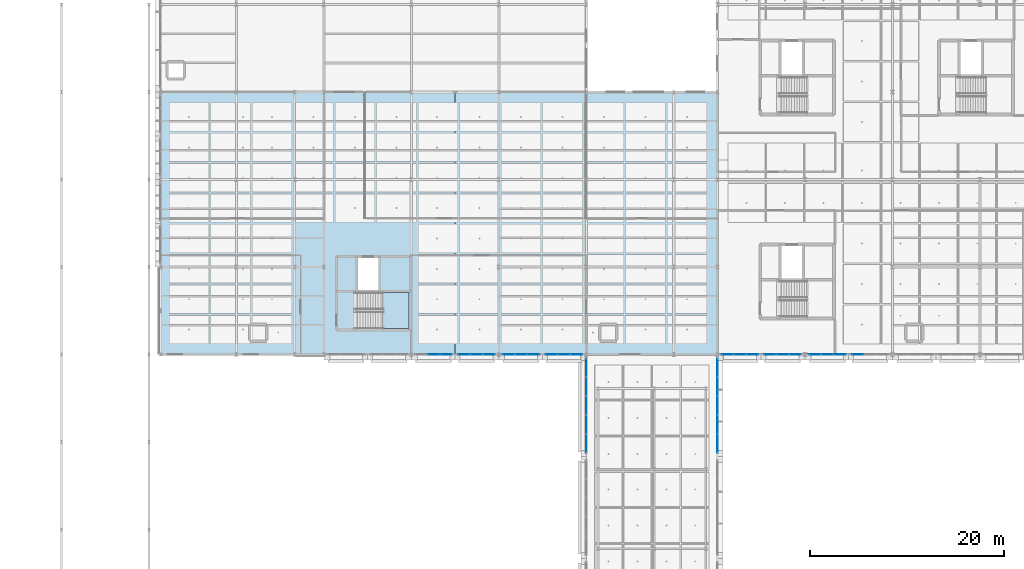
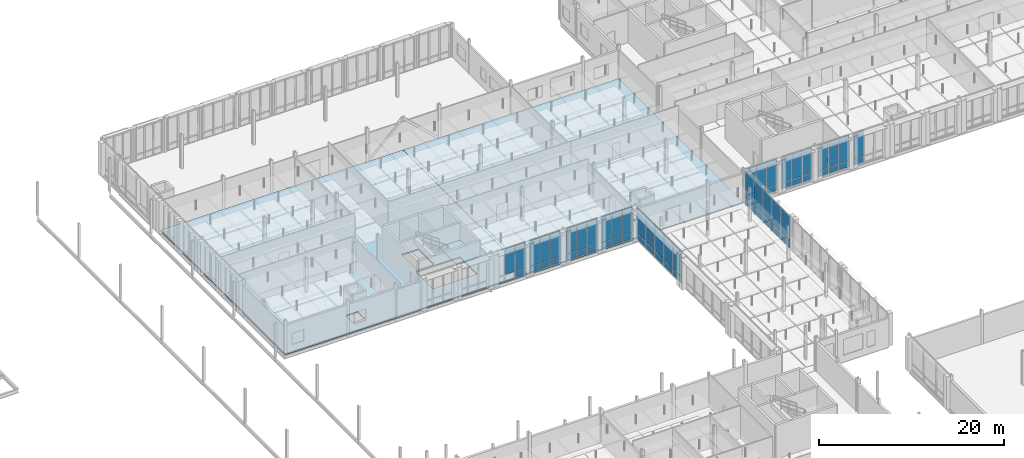
# One storey, part 57 of 130: 61 plates, 3 slabs, 11 elements without a shape of their own.
"""IFC4 building model written with IfcOpenShell, lengths in metres."""

from ifc_helpers import new_model, si_unit, direction, frame, origin, origin_2d, place, context, subcontext, project, spatial, polyline, rectangle, outline, extrude, material, layer, layer_set, type_object, element, aggregate, save


model = new_model("IFC4")

# Units and contexts
model_context = context("Model", 3, precision=1e-05, world=origin(), true_north=direction((0.0, 1.0)))
body_context = subcontext(model_context, "Body", "Model", "MODEL_VIEW")
ifc_project = project(units=[si_unit("LENGTHUNIT", "METRE"), si_unit("AREAUNIT", "SQUARE_METRE"), si_unit("VOLUMEUNIT", "CUBIC_METRE"), si_unit("PLANEANGLEUNIT", "RADIAN"), si_unit("MASSUNIT", "GRAM", prefix="KILO"), si_unit("THERMODYNAMICTEMPERATUREUNIT", "KELVIN"), si_unit("POWERUNIT", "WATT")], contexts=[model_context])

# Site, building, storey
site_placement = place(None, origin())
site = spatial("IfcSite", under=ifc_project, at=site_placement, CompositionType="ELEMENT")
building_placement = place(site_placement, origin())
building = spatial("IfcBuilding", under=site, at=building_placement, Name="Tallowbark Science Centre", CompositionType="ELEMENT")
storey_placement = place(building_placement, frame((0.0, 0.0, 5.39990234375)))
storey = spatial("IfcBuildingStorey", under=building, at=storey_placement, Name="L01", CompositionType="ELEMENT", Elevation=5.39990234375)

# Curtain wall, plates
ifc_material_1 = material(Name="Unitised Thermally Broken Aluminium and Low-E Double Glazing", Category="aluminium")
curtain_wall_type = type_object("IfcCurtainWallType", Name="CW-SYS-FACADE", PredefinedType="NOTDEFINED", material=ifc_material_1)
curtain_wall_1_placement = place(storey_placement, origin())
curtain_wall_1 = element("IfcCurtainWall", 1, at=curtain_wall_1_placement, inside=storey, type_object=curtain_wall_type, Name="Unitised Curtain Wall LNK-W-2 CW-L01-014", PredefinedType="NOTDEFINED")
ifc_material_2 = material(Name="Double Glazed Argon Low-E Vision Glass", Category="glass")
ifc_layer_1 = layer(ifc_material_2, 0.028076171875)
ifc_layer_set_1 = layer_set([ifc_layer_1], Name="Double Glazed Argon Low-E Vision Glass")
plate_type_1 = type_object("IfcPlateType", Name="CWP-GLZ-28", PredefinedType="CURTAIN_PANEL", material=ifc_layer_set_1)
plate_1_placement = place(storey_placement, frame((99.0, 70.65380859375, 0.05517578125), z_axis=(0.0, 0.0, 1.0), x_axis=(0.0, -1.0, 0.0)))
plate_1 = element("IfcPlate", 2, at=plate_1_placement, type_object=plate_type_1, Name="CW-01 panel 1.1", PredefinedType="CURTAIN_PANEL", context=body_context, shape_type="SweptSolid", body=[
    extrude(rectangle(XDim=1.862548828125, YDim=0.028076171875, at=origin_2d()), origin(), (0.0, 0.0, 1.0), 0.767578125),
])
plate_2_placement = place(storey_placement, frame((99.0, 70.65380859375, 0.87744140625), z_axis=(0.0, 0.0, 1.0), x_axis=(0.0, -1.0, 0.0)))
plate_2 = element("IfcPlate", 3, at=plate_2_placement, type_object=plate_type_1, Name="CW-01 panel 1.2", PredefinedType="CURTAIN_PANEL", context=body_context, shape_type="SweptSolid", body=[
    extrude(rectangle(XDim=1.862548828125, YDim=0.028076171875, at=origin_2d()), origin(), (0.0, 0.0, 1.0), 3.387451171875),
])
plate_3_placement = place(storey_placement, frame((99.0, 68.7099609375, 0.05517578125), z_axis=(0.0, 0.0, 1.0), x_axis=(0.0, -1.0, 0.0)))
plate_3 = element("IfcPlate", 4, at=plate_3_placement, type_object=plate_type_1, Name="CW-01 panel 2.1", PredefinedType="CURTAIN_PANEL", context=body_context, shape_type="SweptSolid", body=[
    extrude(rectangle(XDim=1.89501953125, YDim=0.028076171875, at=origin_2d()), origin(), (0.0, 0.0, 1.0), 0.767578125),
])
plate_4_placement = place(storey_placement, frame((99.0, 68.7099609375, 0.87744140625), z_axis=(0.0, 0.0, 1.0), x_axis=(0.0, -1.0, 0.0)))
plate_4 = element("IfcPlate", 5, at=plate_4_placement, type_object=plate_type_1, Name="CW-01 panel 2.2", PredefinedType="CURTAIN_PANEL", context=body_context, shape_type="SweptSolid", body=[
    extrude(rectangle(XDim=1.89501953125, YDim=0.028076171875, at=origin_2d()), origin(), (0.0, 0.0, 1.0), 3.387451171875),
])
plate_5_placement = place(storey_placement, frame((99.0, 66.75, 0.05517578125), z_axis=(0.0, 0.0, 1.0), x_axis=(0.0, -1.0, 0.0)))
plate_5 = element("IfcPlate", 6, at=plate_5_placement, type_object=plate_type_1, Name="CW-01 panel 3.1", PredefinedType="CURTAIN_PANEL", context=body_context, shape_type="SweptSolid", body=[
    extrude(rectangle(XDim=1.89501953125, YDim=0.028076171875, at=origin_2d()), origin(), (0.0, 0.0, 1.0), 0.767578125),
])
plate_6_placement = place(storey_placement, frame((99.0, 66.75, 0.87744140625), z_axis=(0.0, 0.0, 1.0), x_axis=(0.0, -1.0, 0.0)))
plate_6 = element("IfcPlate", 7, at=plate_6_placement, type_object=plate_type_1, Name="CW-01 panel 3.2", PredefinedType="CURTAIN_PANEL", context=body_context, shape_type="SweptSolid", body=[
    extrude(rectangle(XDim=1.89501953125, YDim=0.028076171875, at=origin_2d()), origin(), (0.0, 0.0, 1.0), 3.387451171875),
])
plate_7_placement = place(storey_placement, frame((99.0, 64.7900390625, 0.05517578125), z_axis=(0.0, 0.0, 1.0), x_axis=(0.0, -1.0, 0.0)))
plate_7 = element("IfcPlate", 8, at=plate_7_placement, type_object=plate_type_1, Name="CW-01 panel 4.1", PredefinedType="CURTAIN_PANEL", context=body_context, shape_type="SweptSolid", body=[
    extrude(rectangle(XDim=1.89501953125, YDim=0.028076171875, at=origin_2d()), origin(), (0.0, 0.0, 1.0), 0.767578125),
])
plate_8_placement = place(storey_placement, frame((99.0, 64.7900390625, 0.87744140625), z_axis=(0.0, 0.0, 1.0), x_axis=(0.0, -1.0, 0.0)))
plate_8 = element("IfcPlate", 9, at=plate_8_placement, type_object=plate_type_1, Name="CW-01 panel 4.2", PredefinedType="CURTAIN_PANEL", context=body_context, shape_type="SweptSolid", body=[
    extrude(rectangle(XDim=1.89501953125, YDim=0.028076171875, at=origin_2d()), origin(), (0.0, 0.0, 1.0), 3.387451171875),
])
plate_9_placement = place(storey_placement, frame((99.0, 62.84619140625, 0.05517578125), z_axis=(0.0, 0.0, 1.0), x_axis=(0.0, -1.0, 0.0)))
plate_9 = element("IfcPlate", 10, at=plate_9_placement, type_object=plate_type_1, Name="CW-01 panel 5.1", PredefinedType="CURTAIN_PANEL", context=body_context, shape_type="SweptSolid", body=[
    extrude(rectangle(XDim=1.862548828125, YDim=0.028076171875, at=origin_2d()), origin(), (0.0, 0.0, 1.0), 0.767578125),
])
plate_10_placement = place(storey_placement, frame((99.0, 62.84619140625, 0.87744140625), z_axis=(0.0, 0.0, 1.0), x_axis=(0.0, -1.0, 0.0)))
plate_10 = element("IfcPlate", 11, at=plate_10_placement, type_object=plate_type_1, Name="CW-01 panel 5.2", PredefinedType="CURTAIN_PANEL", context=body_context, shape_type="SweptSolid", body=[
    extrude(rectangle(XDim=1.862548828125, YDim=0.028076171875, at=origin_2d()), origin(), (0.0, 0.0, 1.0), 3.387451171875),
])
aggregate(curtain_wall_1, [plate_1, plate_2, plate_3, plate_4, plate_5, plate_6, plate_7, plate_8, plate_9, plate_10])

curtain_wall_2_placement = place(storey_placement, origin())
curtain_wall_2 = element("IfcCurtainWall", 12, at=curtain_wall_2_placement, inside=storey, type_object=curtain_wall_type, Name="Unitised Curtain Wall LAB-S-81A CW-L01-041", PredefinedType="NOTDEFINED")
plate_11_placement = place(storey_placement, frame((83.300048828125, 72.0, 0.87744140625), z_axis=(0.0, 0.0, 1.0), x_axis=(1.0, 0.0, 0.0)))
plate_11 = element("IfcPlate", 13, at=plate_11_placement, type_object=plate_type_1, Name="CW-01 panel 2.2", PredefinedType="CURTAIN_PANEL", context=body_context, shape_type="SweptSolid", body=[
    extrude(rectangle(XDim=1.235107421875, YDim=0.028076171875, at=origin_2d()), origin(), (0.0, 0.0, 1.0), 3.387451171875),
])
plate_12_placement = place(storey_placement, frame((84.583740234375, 72.0, 0.05517578125), z_axis=(0.0, 0.0, 1.0), x_axis=(1.0, 0.0, 0.0)))
plate_12 = element("IfcPlate", 14, at=plate_12_placement, type_object=plate_type_1, Name="CW-01 panel 3.1", PredefinedType="CURTAIN_PANEL", context=body_context, shape_type="SweptSolid", body=[
    extrude(rectangle(XDim=1.202392578125, YDim=0.028076171875, at=origin_2d()), origin(), (0.0, 0.0, 1.0), 0.767578125),
])
plate_13_placement = place(storey_placement, frame((84.583740234375, 72.0, 0.87744140625), z_axis=(0.0, 0.0, 1.0), x_axis=(1.0, 0.0, 0.0)))
plate_13 = element("IfcPlate", 15, at=plate_13_placement, type_object=plate_type_1, Name="CW-01 panel 3.2", PredefinedType="CURTAIN_PANEL", context=body_context, shape_type="SweptSolid", body=[
    extrude(rectangle(XDim=1.202392578125, YDim=0.028076171875, at=origin_2d()), origin(), (0.0, 0.0, 1.0), 3.387451171875),
])
aggregate(curtain_wall_2, [plate_11, plate_12, plate_13])

curtain_wall_3_placement = place(storey_placement, origin())
curtain_wall_3 = element("IfcCurtainWall", 16, at=curtain_wall_3_placement, inside=storey, type_object=curtain_wall_type, Name="Unitised Curtain Wall LAB-S-90A CW-L01-043", PredefinedType="NOTDEFINED")
plate_14_placement = place(storey_placement, frame((91.016357421875, 72.0, 0.05517578125), z_axis=(0.0, 0.0, 1.0), x_axis=(1.0, 0.0, 0.0)))
plate_14 = element("IfcPlate", 17, at=plate_14_placement, type_object=plate_type_1, Name="CW-01 panel 1.1", PredefinedType="CURTAIN_PANEL", context=body_context, shape_type="SweptSolid", body=[
    extrude(rectangle(XDim=1.202392578125, YDim=0.028076171875, at=origin_2d()), origin(), (0.0, 0.0, 1.0), 0.767578125),
])
plate_15_placement = place(storey_placement, frame((91.016357421875, 72.0, 0.87744140625), z_axis=(0.0, 0.0, 1.0), x_axis=(1.0, 0.0, 0.0)))
plate_15 = element("IfcPlate", 18, at=plate_15_placement, type_object=plate_type_1, Name="CW-01 panel 1.2", PredefinedType="CURTAIN_PANEL", context=body_context, shape_type="SweptSolid", body=[
    extrude(rectangle(XDim=1.202392578125, YDim=0.028076171875, at=origin_2d()), origin(), (0.0, 0.0, 1.0), 3.387451171875),
])
plate_16_placement = place(storey_placement, frame((92.300048828125, 72.0, 0.05517578125), z_axis=(0.0, 0.0, 1.0), x_axis=(1.0, 0.0, 0.0)))
plate_16 = element("IfcPlate", 19, at=plate_16_placement, type_object=plate_type_1, Name="CW-01 panel 2.1", PredefinedType="CURTAIN_PANEL", context=body_context, shape_type="SweptSolid", body=[
    extrude(rectangle(XDim=1.235107421875, YDim=0.028076171875, at=origin_2d()), origin(), (0.0, 0.0, 1.0), 0.767578125),
])
plate_17_placement = place(storey_placement, frame((92.300048828125, 72.0, 0.87744140625), z_axis=(0.0, 0.0, 1.0), x_axis=(1.0, 0.0, 0.0)))
plate_17 = element("IfcPlate", 20, at=plate_17_placement, type_object=plate_type_1, Name="CW-01 panel 2.2", PredefinedType="CURTAIN_PANEL", context=body_context, shape_type="SweptSolid", body=[
    extrude(rectangle(XDim=1.235107421875, YDim=0.028076171875, at=origin_2d()), origin(), (0.0, 0.0, 1.0), 3.387451171875),
])
plate_18_placement = place(storey_placement, frame((93.583740234375, 72.0, 0.05517578125), z_axis=(0.0, 0.0, 1.0), x_axis=(1.0, 0.0, 0.0)))
plate_18 = element("IfcPlate", 21, at=plate_18_placement, type_object=plate_type_1, Name="CW-01 panel 3.1", PredefinedType="CURTAIN_PANEL", context=body_context, shape_type="SweptSolid", body=[
    extrude(rectangle(XDim=1.202392578125, YDim=0.028076171875, at=origin_2d()), origin(), (0.0, 0.0, 1.0), 0.767578125),
])
plate_19_placement = place(storey_placement, frame((93.583740234375, 72.0, 0.87744140625), z_axis=(0.0, 0.0, 1.0), x_axis=(1.0, 0.0, 0.0)))
plate_19 = element("IfcPlate", 22, at=plate_19_placement, type_object=plate_type_1, Name="CW-01 panel 3.2", PredefinedType="CURTAIN_PANEL", context=body_context, shape_type="SweptSolid", body=[
    extrude(rectangle(XDim=1.202392578125, YDim=0.028076171875, at=origin_2d()), origin(), (0.0, 0.0, 1.0), 3.387451171875),
])
aggregate(curtain_wall_3, [plate_14, plate_15, plate_16, plate_17, plate_18, plate_19])

curtain_wall_4_placement = place(storey_placement, origin())
curtain_wall_4 = element("IfcCurtainWall", 23, at=curtain_wall_4_placement, inside=storey, type_object=curtain_wall_type, Name="Unitised Curtain Wall LAB-S-90B CW-L01-044", PredefinedType="NOTDEFINED")
plate_20_placement = place(storey_placement, frame((95.416259765625, 72.0, 0.05517578125), z_axis=(0.0, 0.0, 1.0), x_axis=(1.0, 0.0, 0.0)))
plate_20 = element("IfcPlate", 24, at=plate_20_placement, type_object=plate_type_1, Name="CW-01 panel 1.1", PredefinedType="CURTAIN_PANEL", context=body_context, shape_type="SweptSolid", body=[
    extrude(rectangle(XDim=1.202392578125, YDim=0.028076171875, at=origin_2d()), origin(), (0.0, 0.0, 1.0), 0.767578125),
])
plate_21_placement = place(storey_placement, frame((95.416259765625, 72.0, 0.87744140625), z_axis=(0.0, 0.0, 1.0), x_axis=(1.0, 0.0, 0.0)))
plate_21 = element("IfcPlate", 25, at=plate_21_placement, type_object=plate_type_1, Name="CW-01 panel 1.2", PredefinedType="CURTAIN_PANEL", context=body_context, shape_type="SweptSolid", body=[
    extrude(rectangle(XDim=1.202392578125, YDim=0.028076171875, at=origin_2d()), origin(), (0.0, 0.0, 1.0), 3.387451171875),
])
plate_22_placement = place(storey_placement, frame((96.699951171875, 72.0, 0.05517578125), z_axis=(0.0, 0.0, 1.0), x_axis=(1.0, 0.0, 0.0)))
plate_22 = element("IfcPlate", 26, at=plate_22_placement, type_object=plate_type_1, Name="CW-01 panel 2.1", PredefinedType="CURTAIN_PANEL", context=body_context, shape_type="SweptSolid", body=[
    extrude(rectangle(XDim=1.235107421875, YDim=0.028076171875, at=origin_2d()), origin(), (0.0, 0.0, 1.0), 0.767578125),
])
plate_23_placement = place(storey_placement, frame((96.699951171875, 72.0, 0.87744140625), z_axis=(0.0, 0.0, 1.0), x_axis=(1.0, 0.0, 0.0)))
plate_23 = element("IfcPlate", 27, at=plate_23_placement, type_object=plate_type_1, Name="CW-01 panel 2.2", PredefinedType="CURTAIN_PANEL", context=body_context, shape_type="SweptSolid", body=[
    extrude(rectangle(XDim=1.235107421875, YDim=0.028076171875, at=origin_2d()), origin(), (0.0, 0.0, 1.0), 3.387451171875),
])
plate_24_placement = place(storey_placement, frame((97.983642578125, 72.0, 0.05517578125), z_axis=(0.0, 0.0, 1.0), x_axis=(1.0, 0.0, 0.0)))
plate_24 = element("IfcPlate", 28, at=plate_24_placement, type_object=plate_type_1, Name="CW-01 panel 3.1", PredefinedType="CURTAIN_PANEL", context=body_context, shape_type="SweptSolid", body=[
    extrude(rectangle(XDim=1.202392578125, YDim=0.028076171875, at=origin_2d()), origin(), (0.0, 0.0, 1.0), 0.767578125),
])
plate_25_placement = place(storey_placement, frame((97.983642578125, 72.0, 0.87744140625), z_axis=(0.0, 0.0, 1.0), x_axis=(1.0, 0.0, 0.0)))
plate_25 = element("IfcPlate", 29, at=plate_25_placement, type_object=plate_type_1, Name="CW-01 panel 3.2", PredefinedType="CURTAIN_PANEL", context=body_context, shape_type="SweptSolid", body=[
    extrude(rectangle(XDim=1.202392578125, YDim=0.028076171875, at=origin_2d()), origin(), (0.0, 0.0, 1.0), 3.387451171875),
])
aggregate(curtain_wall_4, [plate_20, plate_21, plate_22, plate_23, plate_24, plate_25])

curtain_wall_5_placement = place(storey_placement, origin())
curtain_wall_5 = element("IfcCurtainWall", 30, at=curtain_wall_5_placement, inside=storey, type_object=curtain_wall_type, Name="Unitised Curtain Wall OBS-S-112A CW-L01-112", PredefinedType="NOTDEFINED")
plate_26_placement = place(storey_placement, frame((113.516357421875, 72.0, 0.05517578125), z_axis=(0.0, 0.0, 1.0), x_axis=(1.0, 0.0, 0.0)))
plate_26 = element("IfcPlate", 31, at=plate_26_placement, type_object=plate_type_1, Name="CW-01 panel 1.1", PredefinedType="CURTAIN_PANEL", context=body_context, shape_type="SweptSolid", body=[
    extrude(rectangle(XDim=1.202392578125, YDim=0.028076171875, at=origin_2d()), origin(), (0.0, 0.0, 1.0), 0.767578125),
])
plate_27_placement = place(storey_placement, frame((113.516357421875, 72.0, 0.87744140625), z_axis=(0.0, 0.0, 1.0), x_axis=(1.0, 0.0, 0.0)))
plate_27 = element("IfcPlate", 32, at=plate_27_placement, type_object=plate_type_1, Name="CW-01 panel 1.2", PredefinedType="CURTAIN_PANEL", context=body_context, shape_type="SweptSolid", body=[
    extrude(rectangle(XDim=1.202392578125, YDim=0.028076171875, at=origin_2d()), origin(), (0.0, 0.0, 1.0), 3.387451171875),
])
plate_28_placement = place(storey_placement, frame((114.800048828125, 72.0, 0.05517578125), z_axis=(0.0, 0.0, 1.0), x_axis=(1.0, 0.0, 0.0)))
plate_28 = element("IfcPlate", 33, at=plate_28_placement, type_object=plate_type_1, Name="CW-01 panel 2.1", PredefinedType="CURTAIN_PANEL", context=body_context, shape_type="SweptSolid", body=[
    extrude(rectangle(XDim=1.235107421875, YDim=0.028076171875, at=origin_2d()), origin(), (0.0, 0.0, 1.0), 0.767578125),
])
plate_29_placement = place(storey_placement, frame((114.800048828125, 72.0, 0.87744140625), z_axis=(0.0, 0.0, 1.0), x_axis=(1.0, 0.0, 0.0)))
plate_29 = element("IfcPlate", 34, at=plate_29_placement, type_object=plate_type_1, Name="CW-01 panel 2.2", PredefinedType="CURTAIN_PANEL", context=body_context, shape_type="SweptSolid", body=[
    extrude(rectangle(XDim=1.235107421875, YDim=0.028076171875, at=origin_2d()), origin(), (0.0, 0.0, 1.0), 3.387451171875),
])
plate_30_placement = place(storey_placement, frame((116.083740234375, 72.0, 0.05517578125), z_axis=(0.0, 0.0, 1.0), x_axis=(1.0, 0.0, 0.0)))
plate_30 = element("IfcPlate", 35, at=plate_30_placement, type_object=plate_type_1, Name="CW-01 panel 3.1", PredefinedType="CURTAIN_PANEL", context=body_context, shape_type="SweptSolid", body=[
    extrude(rectangle(XDim=1.202392578125, YDim=0.028076171875, at=origin_2d()), origin(), (0.0, 0.0, 1.0), 0.767578125),
])
plate_31_placement = place(storey_placement, frame((116.083740234375, 72.0, 0.87744140625), z_axis=(0.0, 0.0, 1.0), x_axis=(1.0, 0.0, 0.0)))
plate_31 = element("IfcPlate", 36, at=plate_31_placement, type_object=plate_type_1, Name="CW-01 panel 3.2", PredefinedType="CURTAIN_PANEL", context=body_context, shape_type="SweptSolid", body=[
    extrude(rectangle(XDim=1.202392578125, YDim=0.028076171875, at=origin_2d()), origin(), (0.0, 0.0, 1.0), 3.387451171875),
])
aggregate(curtain_wall_5, [plate_26, plate_27, plate_28, plate_29, plate_30, plate_31])

curtain_wall_6_placement = place(storey_placement, origin())
curtain_wall_6 = element("IfcCurtainWall", 37, at=curtain_wall_6_placement, inside=storey, type_object=curtain_wall_type, Name="Unitised Curtain Wall OBS-S-112B CW-L01-113", PredefinedType="NOTDEFINED")
plate_32_placement = place(storey_placement, frame((117.916259765625, 72.0, 0.05517578125), z_axis=(0.0, 0.0, 1.0), x_axis=(1.0, 0.0, 0.0)))
plate_32 = element("IfcPlate", 38, at=plate_32_placement, type_object=plate_type_1, Name="CW-01 panel 1.1", PredefinedType="CURTAIN_PANEL", context=body_context, shape_type="SweptSolid", body=[
    extrude(rectangle(XDim=1.202392578125, YDim=0.028076171875, at=origin_2d()), origin(), (0.0, 0.0, 1.0), 0.767578125),
])
plate_33_placement = place(storey_placement, frame((117.916259765625, 72.0, 0.87744140625), z_axis=(0.0, 0.0, 1.0), x_axis=(1.0, 0.0, 0.0)))
plate_33 = element("IfcPlate", 39, at=plate_33_placement, type_object=plate_type_1, Name="CW-01 panel 1.2", PredefinedType="CURTAIN_PANEL", context=body_context, shape_type="SweptSolid", body=[
    extrude(rectangle(XDim=1.202392578125, YDim=0.028076171875, at=origin_2d()), origin(), (0.0, 0.0, 1.0), 3.387451171875),
])
plate_34_placement = place(storey_placement, frame((119.199951171875, 72.0, 0.05517578125), z_axis=(0.0, 0.0, 1.0), x_axis=(1.0, 0.0, 0.0)))
plate_34 = element("IfcPlate", 40, at=plate_34_placement, type_object=plate_type_1, Name="CW-01 panel 2.1", PredefinedType="CURTAIN_PANEL", context=body_context, shape_type="SweptSolid", body=[
    extrude(rectangle(XDim=1.235107421875, YDim=0.028076171875, at=origin_2d()), origin(), (0.0, 0.0, 1.0), 0.767578125),
])
plate_35_placement = place(storey_placement, frame((119.199951171875, 72.0, 0.87744140625), z_axis=(0.0, 0.0, 1.0), x_axis=(1.0, 0.0, 0.0)))
plate_35 = element("IfcPlate", 41, at=plate_35_placement, type_object=plate_type_1, Name="CW-01 panel 2.2", PredefinedType="CURTAIN_PANEL", context=body_context, shape_type="SweptSolid", body=[
    extrude(rectangle(XDim=1.235107421875, YDim=0.028076171875, at=origin_2d()), origin(), (0.0, 0.0, 1.0), 3.387451171875),
])
plate_36_placement = place(storey_placement, frame((120.483642578125, 72.0, 0.05517578125), z_axis=(0.0, 0.0, 1.0), x_axis=(1.0, 0.0, 0.0)))
plate_36 = element("IfcPlate", 42, at=plate_36_placement, type_object=plate_type_1, Name="CW-01 panel 3.1", PredefinedType="CURTAIN_PANEL", context=body_context, shape_type="SweptSolid", body=[
    extrude(rectangle(XDim=1.202392578125, YDim=0.028076171875, at=origin_2d()), origin(), (0.0, 0.0, 1.0), 0.767578125),
])
plate_37_placement = place(storey_placement, frame((120.483642578125, 72.0, 0.87744140625), z_axis=(0.0, 0.0, 1.0), x_axis=(1.0, 0.0, 0.0)))
plate_37 = element("IfcPlate", 43, at=plate_37_placement, type_object=plate_type_1, Name="CW-01 panel 3.2", PredefinedType="CURTAIN_PANEL", context=body_context, shape_type="SweptSolid", body=[
    extrude(rectangle(XDim=1.202392578125, YDim=0.028076171875, at=origin_2d()), origin(), (0.0, 0.0, 1.0), 3.387451171875),
])
aggregate(curtain_wall_6, [plate_32, plate_33, plate_34, plate_35, plate_36, plate_37])

curtain_wall_7_placement = place(storey_placement, origin())
curtain_wall_7 = element("IfcCurtainWall", 44, at=curtain_wall_7_placement, inside=storey, type_object=curtain_wall_type, Name="Unitised Curtain Wall OBS-S-121A CW-L01-116", PredefinedType="NOTDEFINED")
plate_38_placement = place(storey_placement, frame((122.516357421875, 72.0, 0.05517578125), z_axis=(0.0, 0.0, 1.0), x_axis=(1.0, 0.0, 0.0)))
plate_38 = element("IfcPlate", 45, at=plate_38_placement, type_object=plate_type_1, Name="CW-01 panel 1.1", PredefinedType="CURTAIN_PANEL", context=body_context, shape_type="SweptSolid", body=[
    extrude(rectangle(XDim=1.202392578125, YDim=0.028076171875, at=origin_2d()), origin(), (0.0, 0.0, 1.0), 0.767578125),
])
plate_39_placement = place(storey_placement, frame((122.516357421875, 72.0, 0.87744140625), z_axis=(0.0, 0.0, 1.0), x_axis=(1.0, 0.0, 0.0)))
plate_39 = element("IfcPlate", 46, at=plate_39_placement, type_object=plate_type_1, Name="CW-01 panel 1.2", PredefinedType="CURTAIN_PANEL", context=body_context, shape_type="SweptSolid", body=[
    extrude(rectangle(XDim=1.202392578125, YDim=0.028076171875, at=origin_2d()), origin(), (0.0, 0.0, 1.0), 3.387451171875),
])
plate_40_placement = place(storey_placement, frame((123.800048828125, 72.0, 0.05517578125), z_axis=(0.0, 0.0, 1.0), x_axis=(1.0, 0.0, 0.0)))
plate_40 = element("IfcPlate", 47, at=plate_40_placement, type_object=plate_type_1, Name="CW-01 panel 2.1", PredefinedType="CURTAIN_PANEL", context=body_context, shape_type="SweptSolid", body=[
    extrude(rectangle(XDim=1.235107421875, YDim=0.028076171875, at=origin_2d()), origin(), (0.0, 0.0, 1.0), 0.767578125),
])
plate_41_placement = place(storey_placement, frame((123.800048828125, 72.0, 0.87744140625), z_axis=(0.0, 0.0, 1.0), x_axis=(1.0, 0.0, 0.0)))
plate_41 = element("IfcPlate", 48, at=plate_41_placement, type_object=plate_type_1, Name="CW-01 panel 2.2", PredefinedType="CURTAIN_PANEL", context=body_context, shape_type="SweptSolid", body=[
    extrude(rectangle(XDim=1.235107421875, YDim=0.028076171875, at=origin_2d()), origin(), (0.0, 0.0, 1.0), 3.387451171875),
])
plate_42_placement = place(storey_placement, frame((125.083740234375, 72.0, 0.05517578125), z_axis=(0.0, 0.0, 1.0), x_axis=(1.0, 0.0, 0.0)))
plate_42 = element("IfcPlate", 49, at=plate_42_placement, type_object=plate_type_1, Name="CW-01 panel 3.1", PredefinedType="CURTAIN_PANEL", context=body_context, shape_type="SweptSolid", body=[
    extrude(rectangle(XDim=1.202392578125, YDim=0.028076171875, at=origin_2d()), origin(), (0.0, 0.0, 1.0), 0.767578125),
])
plate_43_placement = place(storey_placement, frame((125.083740234375, 72.0, 0.87744140625), z_axis=(0.0, 0.0, 1.0), x_axis=(1.0, 0.0, 0.0)))
plate_43 = element("IfcPlate", 50, at=plate_43_placement, type_object=plate_type_1, Name="CW-01 panel 3.2", PredefinedType="CURTAIN_PANEL", context=body_context, shape_type="SweptSolid", body=[
    extrude(rectangle(XDim=1.202392578125, YDim=0.028076171875, at=origin_2d()), origin(), (0.0, 0.0, 1.0), 3.387451171875),
])
aggregate(curtain_wall_7, [plate_38, plate_39, plate_40, plate_41, plate_42, plate_43])

curtain_wall_8_placement = place(storey_placement, origin())
curtain_wall_8 = element("IfcCurtainWall", 51, at=curtain_wall_8_placement, inside=storey, type_object=curtain_wall_type, Name="Unitised Curtain Wall LNK-E-2 CW-L01-015", PredefinedType="NOTDEFINED")
ifc_material_3 = material(Name="Ceramic-Fritted Insulated Glass Spandrel Panel", Category="glass")
ifc_layer_2 = layer(ifc_material_3, 0.031982421875)
ifc_layer_set_2 = layer_set([ifc_layer_2], Name="Ceramic-Fritted Insulated Glass Spandrel Panel")
plate_type_2 = type_object("IfcPlateType", Name="CWP-SPN-32", PredefinedType="CURTAIN_PANEL", material=ifc_layer_set_2)
plate_44_placement = place(storey_placement, frame((112.5, 62.84619140625, 0.05517578125), z_axis=(0.0, 0.0, 1.0), x_axis=(0.0, 1.0, 0.0)))
plate_44 = element("IfcPlate", 52, at=plate_44_placement, type_object=plate_type_2, Name="CW-01 panel 1.1", PredefinedType="CURTAIN_PANEL", context=body_context, shape_type="SweptSolid", body=[
    extrude(rectangle(XDim=1.862548828125, YDim=0.031982421875, at=origin_2d()), origin(), (0.0, 0.0, 1.0), 0.767578125),
])
plate_45_placement = place(storey_placement, frame((112.5, 62.84619140625, 0.87744140625), z_axis=(0.0, 0.0, 1.0), x_axis=(0.0, 1.0, 0.0)))
plate_45 = element("IfcPlate", 53, at=plate_45_placement, type_object=plate_type_2, Name="CW-01 panel 1.2", PredefinedType="CURTAIN_PANEL", context=body_context, shape_type="SweptSolid", body=[
    extrude(rectangle(XDim=1.862548828125, YDim=0.031982421875, at=origin_2d()), origin(), (0.0, 0.0, 1.0), 3.387451171875),
])
plate_46_placement = place(storey_placement, frame((112.5, 64.7900390625, 0.05517578125), z_axis=(0.0, 0.0, 1.0), x_axis=(0.0, 1.0, 0.0)))
plate_46 = element("IfcPlate", 54, at=plate_46_placement, type_object=plate_type_2, Name="CW-01 panel 2.1", PredefinedType="CURTAIN_PANEL", context=body_context, shape_type="SweptSolid", body=[
    extrude(rectangle(XDim=1.89501953125, YDim=0.031982421875, at=origin_2d()), origin(), (0.0, 0.0, 1.0), 0.767578125),
])
plate_47_placement = place(storey_placement, frame((112.5, 64.7900390625, 0.87744140625), z_axis=(0.0, 0.0, 1.0), x_axis=(0.0, 1.0, 0.0)))
plate_47 = element("IfcPlate", 55, at=plate_47_placement, type_object=plate_type_2, Name="CW-01 panel 2.2", PredefinedType="CURTAIN_PANEL", context=body_context, shape_type="SweptSolid", body=[
    extrude(rectangle(XDim=1.89501953125, YDim=0.031982421875, at=origin_2d()), origin(), (0.0, 0.0, 1.0), 3.387451171875),
])
plate_48_placement = place(storey_placement, frame((112.5, 66.75, 0.05517578125), z_axis=(0.0, 0.0, 1.0), x_axis=(0.0, 1.0, 0.0)))
plate_48 = element("IfcPlate", 56, at=plate_48_placement, type_object=plate_type_2, Name="CW-01 panel 3.1", PredefinedType="CURTAIN_PANEL", context=body_context, shape_type="SweptSolid", body=[
    extrude(rectangle(XDim=1.89501953125, YDim=0.031982421875, at=origin_2d()), origin(), (0.0, 0.0, 1.0), 0.767578125),
])
plate_49_placement = place(storey_placement, frame((112.5, 66.75, 0.87744140625), z_axis=(0.0, 0.0, 1.0), x_axis=(0.0, 1.0, 0.0)))
plate_49 = element("IfcPlate", 57, at=plate_49_placement, type_object=plate_type_2, Name="CW-01 panel 3.2", PredefinedType="CURTAIN_PANEL", context=body_context, shape_type="SweptSolid", body=[
    extrude(rectangle(XDim=1.89501953125, YDim=0.031982421875, at=origin_2d()), origin(), (0.0, 0.0, 1.0), 3.387451171875),
])
plate_50_placement = place(storey_placement, frame((112.5, 68.7099609375, 0.05517578125), z_axis=(0.0, 0.0, 1.0), x_axis=(0.0, 1.0, 0.0)))
plate_50 = element("IfcPlate", 58, at=plate_50_placement, type_object=plate_type_2, Name="CW-01 panel 4.1", PredefinedType="CURTAIN_PANEL", context=body_context, shape_type="SweptSolid", body=[
    extrude(rectangle(XDim=1.89501953125, YDim=0.031982421875, at=origin_2d()), origin(), (0.0, 0.0, 1.0), 0.767578125),
])
plate_51_placement = place(storey_placement, frame((112.5, 68.7099609375, 0.87744140625), z_axis=(0.0, 0.0, 1.0), x_axis=(0.0, 1.0, 0.0)))
plate_51 = element("IfcPlate", 59, at=plate_51_placement, type_object=plate_type_2, Name="CW-01 panel 4.2", PredefinedType="CURTAIN_PANEL", context=body_context, shape_type="SweptSolid", body=[
    extrude(rectangle(XDim=1.89501953125, YDim=0.031982421875, at=origin_2d()), origin(), (0.0, 0.0, 1.0), 3.387451171875),
])
plate_52_placement = place(storey_placement, frame((112.5, 70.65380859375, 0.05517578125), z_axis=(0.0, 0.0, 1.0), x_axis=(0.0, 1.0, 0.0)))
plate_52 = element("IfcPlate", 60, at=plate_52_placement, type_object=plate_type_2, Name="CW-01 panel 5.1", PredefinedType="CURTAIN_PANEL", context=body_context, shape_type="SweptSolid", body=[
    extrude(rectangle(XDim=1.862548828125, YDim=0.031982421875, at=origin_2d()), origin(), (0.0, 0.0, 1.0), 0.767578125),
])
plate_53_placement = place(storey_placement, frame((112.5, 70.65380859375, 0.87744140625), z_axis=(0.0, 0.0, 1.0), x_axis=(0.0, 1.0, 0.0)))
plate_53 = element("IfcPlate", 61, at=plate_53_placement, type_object=plate_type_2, Name="CW-01 panel 5.2", PredefinedType="CURTAIN_PANEL", context=body_context, shape_type="SweptSolid", body=[
    extrude(rectangle(XDim=1.862548828125, YDim=0.031982421875, at=origin_2d()), origin(), (0.0, 0.0, 1.0), 3.387451171875),
])
aggregate(curtain_wall_8, [plate_44, plate_45, plate_46, plate_47, plate_48, plate_49, plate_50, plate_51, plate_52, plate_53])

curtain_wall_9_placement = place(storey_placement, origin())
curtain_wall_9 = element("IfcCurtainWall", 62, at=curtain_wall_9_placement, inside=storey, type_object=curtain_wall_type, Name="Unitised Curtain Wall LAB-S-81B CW-L01-042", PredefinedType="NOTDEFINED")
plate_54_placement = place(storey_placement, frame((86.416259765625, 72.0, 0.05517578125), z_axis=(0.0, 0.0, 1.0), x_axis=(1.0, 0.0, 0.0)))
plate_54 = element("IfcPlate", 63, at=plate_54_placement, type_object=plate_type_2, Name="CW-01 panel 1.1", PredefinedType="CURTAIN_PANEL", context=body_context, shape_type="SweptSolid", body=[
    extrude(rectangle(XDim=1.202392578125, YDim=0.031982421875, at=origin_2d()), origin(), (0.0, 0.0, 1.0), 0.767578125),
])
plate_55_placement = place(storey_placement, frame((86.416259765625, 72.0, 0.87744140625), z_axis=(0.0, 0.0, 1.0), x_axis=(1.0, 0.0, 0.0)))
plate_55 = element("IfcPlate", 64, at=plate_55_placement, type_object=plate_type_2, Name="CW-01 panel 1.2", PredefinedType="CURTAIN_PANEL", context=body_context, shape_type="SweptSolid", body=[
    extrude(rectangle(XDim=1.202392578125, YDim=0.031982421875, at=origin_2d()), origin(), (0.0, 0.0, 1.0), 3.387451171875),
])
plate_56_placement = place(storey_placement, frame((87.699951171875, 72.0, 0.05517578125), z_axis=(0.0, 0.0, 1.0), x_axis=(1.0, 0.0, 0.0)))
plate_56 = element("IfcPlate", 65, at=plate_56_placement, type_object=plate_type_2, Name="CW-01 panel 2.1", PredefinedType="CURTAIN_PANEL", context=body_context, shape_type="SweptSolid", body=[
    extrude(rectangle(XDim=1.235107421875, YDim=0.031982421875, at=origin_2d()), origin(), (0.0, 0.0, 1.0), 0.767578125),
])
plate_57_placement = place(storey_placement, frame((87.699951171875, 72.0, 0.87744140625), z_axis=(0.0, 0.0, 1.0), x_axis=(1.0, 0.0, 0.0)))
plate_57 = element("IfcPlate", 66, at=plate_57_placement, type_object=plate_type_2, Name="CW-01 panel 2.2", PredefinedType="CURTAIN_PANEL", context=body_context, shape_type="SweptSolid", body=[
    extrude(rectangle(XDim=1.235107421875, YDim=0.031982421875, at=origin_2d()), origin(), (0.0, 0.0, 1.0), 3.387451171875),
])
plate_58_placement = place(storey_placement, frame((88.983642578125, 72.0, 0.05517578125), z_axis=(0.0, 0.0, 1.0), x_axis=(1.0, 0.0, 0.0)))
plate_58 = element("IfcPlate", 67, at=plate_58_placement, type_object=plate_type_2, Name="CW-01 panel 3.1", PredefinedType="CURTAIN_PANEL", context=body_context, shape_type="SweptSolid", body=[
    extrude(rectangle(XDim=1.202392578125, YDim=0.031982421875, at=origin_2d()), origin(), (0.0, 0.0, 1.0), 0.767578125),
])
plate_59_placement = place(storey_placement, frame((88.983642578125, 72.0, 0.87744140625), z_axis=(0.0, 0.0, 1.0), x_axis=(1.0, 0.0, 0.0)))
plate_59 = element("IfcPlate", 68, at=plate_59_placement, type_object=plate_type_2, Name="CW-01 panel 3.2", PredefinedType="CURTAIN_PANEL", context=body_context, shape_type="SweptSolid", body=[
    extrude(rectangle(XDim=1.202392578125, YDim=0.031982421875, at=origin_2d()), origin(), (0.0, 0.0, 1.0), 3.387451171875),
])
aggregate(curtain_wall_9, [plate_54, plate_55, plate_56, plate_57, plate_58, plate_59])

curtain_wall_10_placement = place(storey_placement, origin())
curtain_wall_10 = element("IfcCurtainWall", 69, at=curtain_wall_10_placement, inside=storey, type_object=curtain_wall_type, Name="Unitised Curtain Wall OBS-S-121B CW-L01-117", PredefinedType="NOTDEFINED")
plate_60_placement = place(storey_placement, frame((126.916259765625, 72.0, 0.05517578125), z_axis=(0.0, 0.0, 1.0), x_axis=(1.0, 0.0, 0.0)))
plate_60 = element("IfcPlate", 70, at=plate_60_placement, type_object=plate_type_2, Name="CW-01 panel 1.1", PredefinedType="CURTAIN_PANEL", context=body_context, shape_type="SweptSolid", body=[
    extrude(rectangle(XDim=1.202392578125, YDim=0.031982421875, at=origin_2d()), origin(), (0.0, 0.0, 1.0), 0.767578125),
])
plate_61_placement = place(storey_placement, frame((126.916259765625, 72.0, 0.87744140625), z_axis=(0.0, 0.0, 1.0), x_axis=(1.0, 0.0, 0.0)))
plate_61 = element("IfcPlate", 71, at=plate_61_placement, type_object=plate_type_2, Name="CW-01 panel 1.2", PredefinedType="CURTAIN_PANEL", context=body_context, shape_type="SweptSolid", body=[
    extrude(rectangle(XDim=1.202392578125, YDim=0.031982421875, at=origin_2d()), origin(), (0.0, 0.0, 1.0), 3.387451171875),
])
aggregate(curtain_wall_10, [plate_60, plate_61])

# Slabs
ifc_material_4 = material(Name="Concrete Grade N40 (40 MPa)", Category="concrete")
ifc_layer_3 = layer(ifc_material_4, 0.179931640625)
ifc_layer_set_3 = layer_set([ifc_layer_3], Name="Concrete Grade N40 (40 MPa)")
slab_type_1 = type_object("IfcSlabType", Name="SLB-FLR-180", PredefinedType="FLOOR", material=ifc_layer_set_3)
slab_1_placement = place(storey_placement, frame((0.0, 0.0, -0.179931640625)))
element("IfcSlab", 72, at=slab_1_placement, inside=storey, type_object=slab_type_1, Name="Laboratories West Slab L01 SLB-LAB-W-L01", PredefinedType="FLOOR", context=body_context, shape_type="SweptSolid", body=[
    extrude(outline(polyline([(55.199951171875, 72.0), (85.5, 72.0), (85.5, 99.0), (55.199951171875, 99.0), (55.199951171875, 72.0)]), holes=[polyline([(75.2099609375, 74.64990234375), (80.75, 74.64990234375), (80.75, 78.3701171875), (75.2099609375, 78.3701171875), (75.2099609375, 74.64990234375)]), polyline([(75.5, 78.6201171875), (77.60009765625, 78.6201171875), (77.60009765625, 81.949951171875), (75.5, 81.949951171875), (75.5, 78.6201171875)]), polyline([(64.5, 73.5), (66.0, 73.5), (66.0, 75.0), (64.5, 75.0), (64.5, 73.5)])]), origin(), (0.0, 0.0, 1.0), 0.179931640625),
])
slab_2_placement = place(storey_placement, frame((0.0, 0.0, -0.179931640625)))
element("IfcSlab", 73, at=slab_2_placement, inside=storey, type_object=slab_type_1, Name="Laboratories East Slab L01 SLB-LAB-E-L01", PredefinedType="FLOOR", context=body_context, shape_type="SweptSolid", body=[
    extrude(outline(polyline([(85.5, 72.0), (112.47509765625, 72.0), (112.47509765625, 99.0), (85.5, 99.0), (85.5, 72.0)]), holes=[polyline([(100.5, 73.5), (102.0, 73.5), (102.0, 75.0), (100.5, 75.0), (100.5, 73.5)])]), origin(), (0.0, 0.0, 1.0), 0.179931640625),
])

# Stair, slab
stair_type = type_object("IfcStairType", Name="STR-C1", PredefinedType="HALF_TURN_STAIR", material=ifc_material_4)
stair_placement = place(storey_placement, origin())
stair = element("IfcStair", 74, at=stair_placement, inside=storey, type_object=stair_type, Name="L01 Fire Stair ST-01", PredefinedType="HALF_TURN_STAIR")
ifc_layer_4 = layer(ifc_material_4, 0.199951171875)
ifc_layer_set_4 = layer_set([ifc_layer_4], Name="Concrete Grade N40 (40 MPa)")
slab_type_2 = type_object("IfcSlabType", Name="SLB-LND-200", PredefinedType="LANDING", material=ifc_layer_set_4)
slab_3_placement = place(storey_placement, frame((0.0, 0.0, 2.050048828125)))
slab_3 = element("IfcSlab", 75, at=slab_3_placement, type_object=slab_type_2, Name="ST-01 landing 1", PredefinedType="LANDING", context=body_context, shape_type="SweptSolid", body=[
    extrude(outline(polyline([(78.125, 74.64990234375), (80.75, 74.64990234375), (80.75, 78.3701171875), (78.125, 78.3701171875), (78.125, 74.64990234375)])), origin(), (0.0, 0.0, 1.0), 0.199951171875),
])
aggregate(stair, [slab_3])

save(model, "model.ifc")
